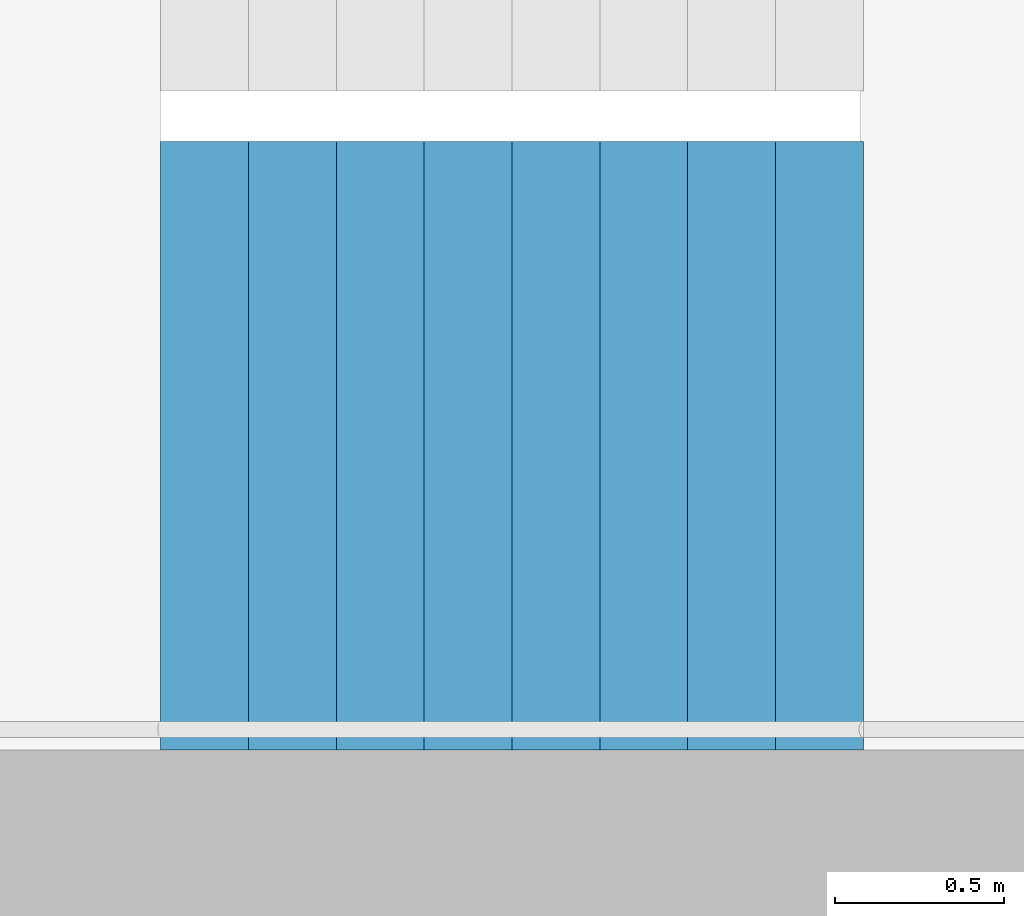
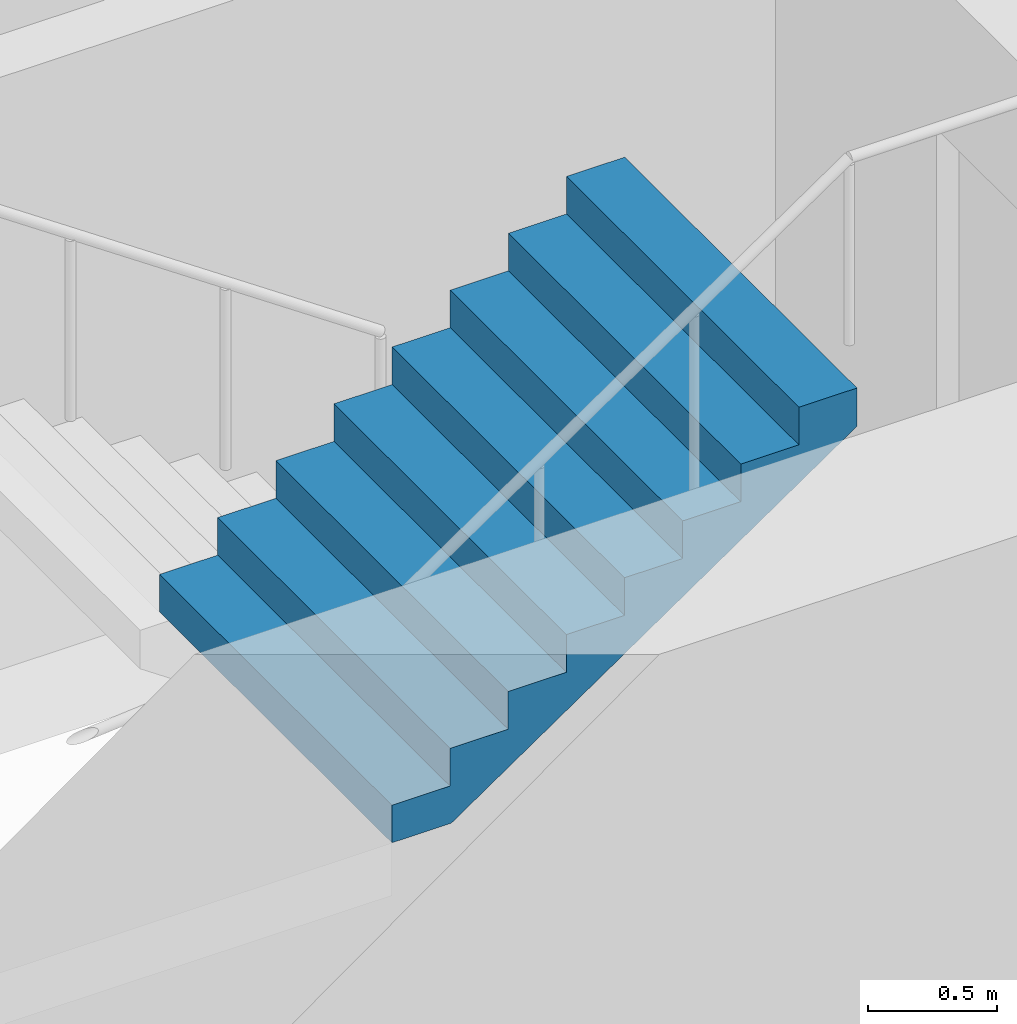
# One storey, part 21 of 29: 1 stair flight, 1 element without a shape of its own.
"""IFC4 building model written with IfcOpenShell, lengths in metres."""

from ifc_helpers import new_model, si_unit, direction, frame, origin, place, context, subcontext, project, spatial, triangles, material, type_object, element, aggregate, save


model = new_model("IFC4")

# Units and contexts
model_context = context("Model", 3, precision=1e-05, world=origin(), true_north=direction((0.0, 1.0)))
body_context = subcontext(model_context, "Body", "Model", "MODEL_VIEW")
ifc_project = project(units=[si_unit("LENGTHUNIT", "METRE"), si_unit("AREAUNIT", "SQUARE_METRE"), si_unit("VOLUMEUNIT", "CUBIC_METRE"), si_unit("PLANEANGLEUNIT", "RADIAN"), si_unit("MASSUNIT", "GRAM", prefix="KILO")], contexts=[model_context])

# Site, building, storey
site_placement = place(None, origin())
site = spatial("IfcSite", under=ifc_project, at=site_placement, CompositionType="ELEMENT")
building_placement = place(site_placement, origin())
building = spatial("IfcBuilding", under=site, at=building_placement, Name="Hakoniwa Tower and Hamabe Station Hall", CompositionType="ELEMENT")
storey_placement = place(building_placement, frame((0.0, 0.0, 23.0)))
storey = spatial("IfcBuildingStorey", under=building, at=storey_placement, Name="L05", CompositionType="ELEMENT", Elevation=23.0)

# Stair, stair flight
ifc_material_1 = material(Name="Concrete C40", Category="concrete")
stair_type = type_object("IfcStairType", Name="ESCAPE STAIR 1800", PredefinedType="HALF_TURN_STAIR", material=ifc_material_1)
stair_placement = place(storey_placement, origin())
stair = element("IfcStair", 1, at=stair_placement, inside=storey, type_object=stair_type, Name="Escape stair ST-2 L05", PredefinedType="HALF_TURN_STAIR")
ifc_material_2 = material(Name="Concrete C40", Category="concrete")
stair_flight_type = type_object("IfcStairFlightType", Name="STAIR FLIGHT 1800", PredefinedType="STRAIGHT", material=ifc_material_2)
stair_flight_placement = place(storey_placement, frame((-25.47998046875, -6.60009765625, 1.60009765625), z_axis=(0.0, 0.0, 1.0), x_axis=(1.0, 0.0, 0.0)))
stair_flight = element("IfcStairFlight", 2, at=stair_flight_placement, type_object=stair_flight_type, Name="ST-2 flight 2", NumberOfRisers=9, NumberOfTreads=8, PredefinedType="STRAIGHT", RiserHeight=0.177777778, TreadLength=0.26, context=body_context, shape_type="Tessellation", body=[
    triangles([(0.0, 0.89990234375, 0.0), (0.260009765625, 0.89990234375, 0.0), (0.265625, 0.89990234375, 0.0), (0.52001953125, 0.89990234375, 0.174072265625), (0.780029296875, 0.89990234375, 0.351806640625), (1.0400390625, 0.89990234375, 0.529541015625), (1.300048828125, 0.89990234375, 0.707275390625), (1.56005859375, 0.89990234375, 0.885009765625), (1.820068359375, 0.89990234375, 1.062744140625), (2.080078125, 0.89990234375, 1.24072265625), (2.080078125, 0.89990234375, 1.422119140625), (1.820068359375, 0.89990234375, 1.422119140625), (1.820068359375, 0.89990234375, 1.244384765625), (1.56005859375, 0.89990234375, 1.244384765625), (1.56005859375, 0.89990234375, 1.066650390625), (1.300048828125, 0.89990234375, 1.066650390625), (1.300048828125, 0.89990234375, 0.888916015625), (1.0400390625, 0.89990234375, 0.888916015625), (1.0400390625, 0.89990234375, 0.711181640625), (0.780029296875, 0.89990234375, 0.711181640625), (0.780029296875, 0.89990234375, 0.533447265625), (0.52001953125, 0.89990234375, 0.533447265625), (0.52001953125, 0.89990234375, 0.35546875), (0.265625, 0.89990234375, 0.35546875), (0.260009765625, 0.89990234375, 0.35546875), (0.260009765625, 0.89990234375, 0.177734375), (0.0, 0.89990234375, 0.177734375), (0.0, 0.06005859375, 0.0), (0.260009765625, 0.06005859375, 0.0), (0.265625, 0.06005859375, 0.0), (0.52001953125, 0.06005859375, 0.174072265625), (0.780029296875, 0.06005859375, 0.351806640625), (1.0400390625, 0.06005859375, 0.529541015625), (1.300048828125, 0.06005859375, 0.707275390625), (1.56005859375, 0.06005859375, 0.885009765625), (1.820068359375, 0.06005859375, 1.062744140625), (2.080078125, 0.06005859375, 1.24072265625), (2.080078125, 0.06005859375, 1.422119140625), (1.820068359375, 0.06005859375, 1.422119140625), (1.820068359375, 0.06005859375, 1.244384765625), (1.56005859375, 0.06005859375, 1.244384765625), (1.56005859375, 0.06005859375, 1.066650390625), (1.300048828125, 0.06005859375, 1.066650390625), (1.300048828125, 0.06005859375, 0.888916015625), (1.0400390625, 0.06005859375, 0.888916015625), (1.0400390625, 0.06005859375, 0.711181640625), (0.780029296875, 0.06005859375, 0.711181640625), (0.780029296875, 0.06005859375, 0.533447265625), (0.52001953125, 0.06005859375, 0.533447265625), (0.52001953125, 0.06005859375, 0.35546875), (0.265625, 0.06005859375, 0.35546875), (0.260009765625, 0.06005859375, 0.35546875), (0.260009765625, 0.06005859375, 0.177734375), (0.0, 0.06005859375, 0.177734375), (0.0, 0.04296875, 0.0), (0.260009765625, 0.04296875, 0.0), (0.265625, 0.04296875, 0.0), (0.52001953125, 0.04296875, 0.174072265625), (0.780029296875, 0.04296875, 0.351806640625), (1.0400390625, 0.04296875, 0.529541015625), (1.300048828125, 0.04296875, 0.707275390625), (1.56005859375, 0.04296875, 0.885009765625), (1.820068359375, 0.04296875, 1.062744140625), (2.080078125, 0.04296875, 1.24072265625), (2.080078125, 0.04296875, 1.422119140625), (1.820068359375, 0.04296875, 1.422119140625), (1.820068359375, 0.04296875, 1.244384765625), (1.56005859375, 0.04296875, 1.244384765625), (1.56005859375, 0.04296875, 1.066650390625), (1.300048828125, 0.04296875, 1.066650390625), (1.300048828125, 0.04296875, 0.888916015625), (1.0400390625, 0.04296875, 0.888916015625), (1.0400390625, 0.04296875, 0.711181640625), (0.780029296875, 0.04296875, 0.711181640625), (0.780029296875, 0.04296875, 0.533447265625), (0.52001953125, 0.04296875, 0.533447265625), (0.52001953125, 0.04296875, 0.35546875), (0.265625, 0.04296875, 0.35546875), (0.260009765625, 0.04296875, 0.35546875), (0.260009765625, 0.04296875, 0.177734375), (0.0, 0.04296875, 0.177734375), (0.0, 0.025634765625, 0.0), (0.260009765625, 0.025634765625, 0.0), (0.265625, 0.025634765625, 0.0), (0.52001953125, 0.025634765625, 0.174072265625), (0.780029296875, 0.025634765625, 0.351806640625), (1.0400390625, 0.025634765625, 0.529541015625), (1.300048828125, 0.025634765625, 0.707275390625), (1.56005859375, 0.025634765625, 0.885009765625), (1.820068359375, 0.025634765625, 1.062744140625), (2.080078125, 0.025634765625, 1.24072265625), (2.080078125, 0.025634765625, 1.422119140625), (1.820068359375, 0.025634765625, 1.422119140625), (1.820068359375, 0.025634765625, 1.244384765625), (1.56005859375, 0.025634765625, 1.244384765625), (1.56005859375, 0.025634765625, 1.066650390625), (1.300048828125, 0.025634765625, 1.066650390625), (1.300048828125, 0.025634765625, 0.888916015625), (1.0400390625, 0.025634765625, 0.888916015625), (1.0400390625, 0.025634765625, 0.711181640625), (0.780029296875, 0.025634765625, 0.711181640625), (0.780029296875, 0.025634765625, 0.533447265625), (0.52001953125, 0.025634765625, 0.533447265625), (0.52001953125, 0.025634765625, 0.35546875), (0.265625, 0.025634765625, 0.35546875), (0.260009765625, 0.025634765625, 0.35546875), (0.260009765625, 0.025634765625, 0.177734375), (0.0, 0.025634765625, 0.177734375), (0.0, 0.008544921875, 0.0), (0.260009765625, 0.008544921875, 0.0), (0.265625, 0.008544921875, 0.0), (0.52001953125, 0.008544921875, 0.174072265625), (0.780029296875, 0.008544921875, 0.351806640625), (1.0400390625, 0.008544921875, 0.529541015625), (1.300048828125, 0.008544921875, 0.707275390625), (1.56005859375, 0.008544921875, 0.885009765625), (1.820068359375, 0.008544921875, 1.062744140625), (2.080078125, 0.008544921875, 1.24072265625), (2.080078125, 0.008544921875, 1.422119140625), (1.820068359375, 0.008544921875, 1.422119140625), (1.820068359375, 0.008544921875, 1.244384765625), (1.56005859375, 0.008544921875, 1.244384765625), (1.56005859375, 0.008544921875, 1.066650390625), (1.300048828125, 0.008544921875, 1.066650390625), (1.300048828125, 0.008544921875, 0.888916015625), (1.0400390625, 0.008544921875, 0.888916015625), (1.0400390625, 0.008544921875, 0.711181640625), (0.780029296875, 0.008544921875, 0.711181640625), (0.780029296875, 0.008544921875, 0.533447265625), (0.52001953125, 0.008544921875, 0.533447265625), (0.52001953125, 0.008544921875, 0.35546875), (0.265625, 0.008544921875, 0.35546875), (0.260009765625, 0.008544921875, 0.35546875), (0.260009765625, 0.008544921875, 0.177734375), (0.0, 0.008544921875, 0.177734375), (0.0, -0.008544921875, 0.0), (0.260009765625, -0.008544921875, 0.0), (0.265625, -0.008544921875, 0.0), (0.52001953125, -0.008544921875, 0.174072265625), (0.780029296875, -0.008544921875, 0.351806640625), (1.0400390625, -0.008544921875, 0.529541015625), (1.300048828125, -0.008544921875, 0.707275390625), (1.56005859375, -0.008544921875, 0.885009765625), (1.820068359375, -0.008544921875, 1.062744140625), (2.080078125, -0.008544921875, 1.24072265625), (2.080078125, -0.008544921875, 1.422119140625), (1.820068359375, -0.008544921875, 1.422119140625), (1.820068359375, -0.008544921875, 1.244384765625), (1.56005859375, -0.008544921875, 1.244384765625), (1.56005859375, -0.008544921875, 1.066650390625), (1.300048828125, -0.008544921875, 1.066650390625), (1.300048828125, -0.008544921875, 0.888916015625), (1.0400390625, -0.008544921875, 0.888916015625), (1.0400390625, -0.008544921875, 0.711181640625), (0.780029296875, -0.008544921875, 0.711181640625), (0.780029296875, -0.008544921875, 0.533447265625), (0.52001953125, -0.008544921875, 0.533447265625), (0.52001953125, -0.008544921875, 0.35546875), (0.265625, -0.008544921875, 0.35546875), (0.260009765625, -0.008544921875, 0.35546875), (0.260009765625, -0.008544921875, 0.177734375), (0.0, -0.008544921875, 0.177734375), (0.0, -0.025634765625, 0.0), (0.260009765625, -0.025634765625, 0.0), (0.265625, -0.025634765625, 0.0), (0.52001953125, -0.025634765625, 0.174072265625), (0.780029296875, -0.025634765625, 0.351806640625), (1.0400390625, -0.025634765625, 0.529541015625), (1.300048828125, -0.025634765625, 0.707275390625), (1.56005859375, -0.025634765625, 0.885009765625), (1.820068359375, -0.025634765625, 1.062744140625), (2.080078125, -0.025634765625, 1.24072265625), (2.080078125, -0.025634765625, 1.422119140625), (1.820068359375, -0.025634765625, 1.422119140625), (1.820068359375, -0.025634765625, 1.244384765625), (1.56005859375, -0.025634765625, 1.244384765625), (1.56005859375, -0.025634765625, 1.066650390625), (1.300048828125, -0.025634765625, 1.066650390625), (1.300048828125, -0.025634765625, 0.888916015625), (1.0400390625, -0.025634765625, 0.888916015625), (1.0400390625, -0.025634765625, 0.711181640625), (0.780029296875, -0.025634765625, 0.711181640625), (0.780029296875, -0.025634765625, 0.533447265625), (0.52001953125, -0.025634765625, 0.533447265625), (0.52001953125, -0.025634765625, 0.35546875), (0.265625, -0.025634765625, 0.35546875), (0.260009765625, -0.025634765625, 0.35546875), (0.260009765625, -0.025634765625, 0.177734375), (0.0, -0.025634765625, 0.177734375), (0.0, -0.04296875, 0.0), (0.260009765625, -0.04296875, 0.0), (0.265625, -0.04296875, 0.0), (0.52001953125, -0.04296875, 0.174072265625), (0.780029296875, -0.04296875, 0.351806640625), (1.0400390625, -0.04296875, 0.529541015625), (1.300048828125, -0.04296875, 0.707275390625), (1.56005859375, -0.04296875, 0.885009765625), (1.820068359375, -0.04296875, 1.062744140625), (2.080078125, -0.04296875, 1.24072265625), (2.080078125, -0.04296875, 1.422119140625), (1.820068359375, -0.04296875, 1.422119140625), (1.820068359375, -0.04296875, 1.244384765625), (1.56005859375, -0.04296875, 1.244384765625), (1.56005859375, -0.04296875, 1.066650390625), (1.300048828125, -0.04296875, 1.066650390625), (1.300048828125, -0.04296875, 0.888916015625), (1.0400390625, -0.04296875, 0.888916015625), (1.0400390625, -0.04296875, 0.711181640625), (0.780029296875, -0.04296875, 0.711181640625), (0.780029296875, -0.04296875, 0.533447265625), (0.52001953125, -0.04296875, 0.533447265625), (0.52001953125, -0.04296875, 0.35546875), (0.265625, -0.04296875, 0.35546875), (0.260009765625, -0.04296875, 0.35546875), (0.260009765625, -0.04296875, 0.177734375), (0.0, -0.04296875, 0.177734375), (0.0, -0.06005859375, 0.0), (0.260009765625, -0.06005859375, 0.0), (0.265625, -0.06005859375, 0.0), (0.52001953125, -0.06005859375, 0.174072265625), (0.780029296875, -0.06005859375, 0.351806640625), (1.0400390625, -0.06005859375, 0.529541015625), (1.300048828125, -0.06005859375, 0.707275390625), (1.56005859375, -0.06005859375, 0.885009765625), (1.820068359375, -0.06005859375, 1.062744140625), (2.080078125, -0.06005859375, 1.24072265625), (2.080078125, -0.06005859375, 1.422119140625), (1.820068359375, -0.06005859375, 1.422119140625), (1.820068359375, -0.06005859375, 1.244384765625), (1.56005859375, -0.06005859375, 1.244384765625), (1.56005859375, -0.06005859375, 1.066650390625), (1.300048828125, -0.06005859375, 1.066650390625), (1.300048828125, -0.06005859375, 0.888916015625), (1.0400390625, -0.06005859375, 0.888916015625), (1.0400390625, -0.06005859375, 0.711181640625), (0.780029296875, -0.06005859375, 0.711181640625), (0.780029296875, -0.06005859375, 0.533447265625), (0.52001953125, -0.06005859375, 0.533447265625), (0.52001953125, -0.06005859375, 0.35546875), (0.265625, -0.06005859375, 0.35546875), (0.260009765625, -0.06005859375, 0.35546875), (0.260009765625, -0.06005859375, 0.177734375), (0.0, -0.06005859375, 0.177734375), (0.0, -0.89990234375, 0.0), (0.260009765625, -0.89990234375, 0.0), (0.265625, -0.89990234375, 0.0), (0.52001953125, -0.89990234375, 0.174072265625), (0.780029296875, -0.89990234375, 0.351806640625), (1.0400390625, -0.89990234375, 0.529541015625), (1.300048828125, -0.89990234375, 0.707275390625), (1.56005859375, -0.89990234375, 0.885009765625), (1.820068359375, -0.89990234375, 1.062744140625), (2.080078125, -0.89990234375, 1.24072265625), (2.080078125, -0.89990234375, 1.422119140625), (1.820068359375, -0.89990234375, 1.422119140625), (1.820068359375, -0.89990234375, 1.244384765625), (1.56005859375, -0.89990234375, 1.244384765625), (1.56005859375, -0.89990234375, 1.066650390625), (1.300048828125, -0.89990234375, 1.066650390625), (1.300048828125, -0.89990234375, 0.888916015625), (1.0400390625, -0.89990234375, 0.888916015625), (1.0400390625, -0.89990234375, 0.711181640625), (0.780029296875, -0.89990234375, 0.711181640625), (0.780029296875, -0.89990234375, 0.533447265625), (0.52001953125, -0.89990234375, 0.533447265625), (0.52001953125, -0.89990234375, 0.35546875), (0.265625, -0.89990234375, 0.35546875), (0.260009765625, -0.89990234375, 0.35546875), (0.260009765625, -0.89990234375, 0.177734375), (0.0, -0.89990234375, 0.177734375)], [[2, 27, 26], [245, 269, 270], [2, 1, 27], [245, 270, 244], [3, 25, 24], [246, 267, 268], [3, 26, 25], [246, 268, 269], [3, 2, 26], [246, 269, 245], [4, 24, 23], [247, 266, 267], [4, 3, 24], [247, 267, 246], [5, 22, 21], [248, 264, 265], [5, 23, 22], [248, 265, 266], [5, 4, 23], [248, 266, 247], [6, 20, 19], [249, 262, 263], [6, 21, 20], [249, 263, 264], [6, 5, 21], [249, 264, 248], [7, 18, 17], [250, 260, 261], [7, 19, 18], [250, 261, 262], [7, 6, 19], [250, 262, 249], [8, 16, 15], [251, 258, 259], [8, 17, 16], [251, 259, 260], [8, 7, 17], [251, 260, 250], [9, 14, 13], [252, 256, 257], [9, 15, 14], [252, 257, 258], [9, 8, 15], [252, 258, 251], [10, 12, 11], [253, 254, 255], [10, 13, 12], [253, 255, 256], [10, 9, 13], [253, 256, 252], [1, 2, 29], [1, 29, 28], [28, 29, 56], [28, 56, 55], [55, 56, 83], [55, 83, 82], [82, 83, 110], [82, 110, 109], [109, 110, 137], [109, 137, 136], [136, 137, 164], [136, 164, 163], [163, 164, 191], [163, 191, 190], [190, 191, 218], [190, 218, 217], [217, 218, 245], [217, 245, 244], [2, 3, 30], [2, 30, 29], [29, 30, 57], [29, 57, 56], [56, 57, 84], [56, 84, 83], [83, 84, 111], [83, 111, 110], [110, 111, 138], [110, 138, 137], [137, 138, 165], [137, 165, 164], [164, 165, 192], [164, 192, 191], [191, 192, 219], [191, 219, 218], [218, 219, 246], [218, 246, 245], [3, 4, 31], [3, 31, 30], [30, 31, 58], [30, 58, 57], [57, 58, 85], [57, 85, 84], [84, 85, 112], [84, 112, 111], [111, 112, 139], [111, 139, 138], [138, 139, 166], [138, 166, 165], [165, 166, 193], [165, 193, 192], [192, 193, 220], [192, 220, 219], [219, 220, 247], [219, 247, 246], [4, 5, 32], [4, 32, 31], [31, 32, 59], [31, 59, 58], [58, 59, 86], [58, 86, 85], [85, 86, 113], [85, 113, 112], [112, 113, 140], [112, 140, 139], [139, 140, 167], [139, 167, 166], [166, 167, 194], [166, 194, 193], [193, 194, 221], [193, 221, 220], [220, 221, 248], [220, 248, 247], [5, 6, 33], [5, 33, 32], [32, 33, 60], [32, 60, 59], [59, 60, 87], [59, 87, 86], [86, 87, 114], [86, 114, 113], [113, 114, 141], [113, 141, 140], [140, 141, 168], [140, 168, 167], [167, 168, 195], [167, 195, 194], [194, 195, 222], [194, 222, 221], [221, 222, 249], [221, 249, 248], [6, 7, 34], [6, 34, 33], [33, 34, 61], [33, 61, 60], [60, 61, 88], [60, 88, 87], [87, 88, 115], [87, 115, 114], [114, 115, 142], [114, 142, 141], [141, 142, 169], [141, 169, 168], [168, 169, 196], [168, 196, 195], [195, 196, 223], [195, 223, 222], [222, 223, 250], [222, 250, 249], [7, 8, 35], [7, 35, 34], [34, 35, 62], [34, 62, 61], [61, 62, 89], [61, 89, 88], [88, 89, 116], [88, 116, 115], [115, 116, 143], [115, 143, 142], [142, 143, 170], [142, 170, 169], [169, 170, 197], [169, 197, 196], [196, 197, 224], [196, 224, 223], [223, 224, 251], [223, 251, 250], [8, 9, 36], [8, 36, 35], [35, 36, 63], [35, 63, 62], [62, 63, 90], [62, 90, 89], [89, 90, 117], [89, 117, 116], [116, 117, 144], [116, 144, 143], [143, 144, 171], [143, 171, 170], [170, 171, 198], [170, 198, 197], [197, 198, 225], [197, 225, 224], [224, 225, 252], [224, 252, 251], [9, 10, 37], [9, 37, 36], [36, 37, 64], [36, 64, 63], [63, 64, 91], [63, 91, 90], [90, 91, 118], [90, 118, 117], [117, 118, 145], [117, 145, 144], [144, 145, 172], [144, 172, 171], [171, 172, 199], [171, 199, 198], [198, 199, 226], [198, 226, 225], [225, 226, 253], [225, 253, 252], [10, 11, 38], [10, 38, 37], [37, 38, 65], [37, 65, 64], [64, 65, 92], [64, 92, 91], [91, 92, 119], [91, 119, 118], [118, 119, 146], [118, 146, 145], [145, 146, 173], [145, 173, 172], [172, 173, 200], [172, 200, 199], [199, 200, 227], [199, 227, 226], [226, 227, 254], [226, 254, 253], [11, 12, 39], [11, 39, 38], [38, 39, 66], [38, 66, 65], [65, 66, 93], [65, 93, 92], [92, 93, 120], [92, 120, 119], [119, 120, 147], [119, 147, 146], [146, 147, 174], [146, 174, 173], [173, 174, 201], [173, 201, 200], [200, 201, 228], [200, 228, 227], [227, 228, 255], [227, 255, 254], [12, 13, 40], [12, 40, 39], [39, 40, 67], [39, 67, 66], [66, 67, 94], [66, 94, 93], [93, 94, 121], [93, 121, 120], [120, 121, 148], [120, 148, 147], [147, 148, 175], [147, 175, 174], [174, 175, 202], [174, 202, 201], [201, 202, 229], [201, 229, 228], [228, 229, 256], [228, 256, 255], [13, 14, 41], [13, 41, 40], [40, 41, 68], [40, 68, 67], [67, 68, 95], [67, 95, 94], [94, 95, 122], [94, 122, 121], [121, 122, 149], [121, 149, 148], [148, 149, 176], [148, 176, 175], [175, 176, 203], [175, 203, 202], [202, 203, 230], [202, 230, 229], [229, 230, 257], [229, 257, 256], [14, 15, 42], [14, 42, 41], [41, 42, 69], [41, 69, 68], [68, 69, 96], [68, 96, 95], [95, 96, 123], [95, 123, 122], [122, 123, 150], [122, 150, 149], [149, 150, 177], [149, 177, 176], [176, 177, 204], [176, 204, 203], [203, 204, 231], [203, 231, 230], [230, 231, 258], [230, 258, 257], [15, 16, 43], [15, 43, 42], [42, 43, 70], [42, 70, 69], [69, 70, 97], [69, 97, 96], [96, 97, 124], [96, 124, 123], [123, 124, 151], [123, 151, 150], [150, 151, 178], [150, 178, 177], [177, 178, 205], [177, 205, 204], [204, 205, 232], [204, 232, 231], [231, 232, 259], [231, 259, 258], [16, 17, 44], [16, 44, 43], [43, 44, 71], [43, 71, 70], [70, 71, 98], [70, 98, 97], [97, 98, 125], [97, 125, 124], [124, 125, 152], [124, 152, 151], [151, 152, 179], [151, 179, 178], [178, 179, 206], [178, 206, 205], [205, 206, 233], [205, 233, 232], [232, 233, 260], [232, 260, 259], [17, 18, 45], [17, 45, 44], [44, 45, 72], [44, 72, 71], [71, 72, 99], [71, 99, 98], [98, 99, 126], [98, 126, 125], [125, 126, 153], [125, 153, 152], [152, 153, 180], [152, 180, 179], [179, 180, 207], [179, 207, 206], [206, 207, 234], [206, 234, 233], [233, 234, 261], [233, 261, 260], [18, 19, 46], [18, 46, 45], [45, 46, 73], [45, 73, 72], [72, 73, 100], [72, 100, 99], [99, 100, 127], [99, 127, 126], [126, 127, 154], [126, 154, 153], [153, 154, 181], [153, 181, 180], [180, 181, 208], [180, 208, 207], [207, 208, 235], [207, 235, 234], [234, 235, 262], [234, 262, 261], [19, 20, 47], [19, 47, 46], [46, 47, 74], [46, 74, 73], [73, 74, 101], [73, 101, 100], [100, 101, 128], [100, 128, 127], [127, 128, 155], [127, 155, 154], [154, 155, 182], [154, 182, 181], [181, 182, 209], [181, 209, 208], [208, 209, 236], [208, 236, 235], [235, 236, 263], [235, 263, 262], [20, 21, 48], [20, 48, 47], [47, 48, 75], [47, 75, 74], [74, 75, 102], [74, 102, 101], [101, 102, 129], [101, 129, 128], [128, 129, 156], [128, 156, 155], [155, 156, 183], [155, 183, 182], [182, 183, 210], [182, 210, 209], [209, 210, 237], [209, 237, 236], [236, 237, 264], [236, 264, 263], [21, 22, 49], [21, 49, 48], [48, 49, 76], [48, 76, 75], [75, 76, 103], [75, 103, 102], [102, 103, 130], [102, 130, 129], [129, 130, 157], [129, 157, 156], [156, 157, 184], [156, 184, 183], [183, 184, 211], [183, 211, 210], [210, 211, 238], [210, 238, 237], [237, 238, 265], [237, 265, 264], [22, 23, 50], [22, 50, 49], [49, 50, 77], [49, 77, 76], [76, 77, 104], [76, 104, 103], [103, 104, 131], [103, 131, 130], [130, 131, 158], [130, 158, 157], [157, 158, 185], [157, 185, 184], [184, 185, 212], [184, 212, 211], [211, 212, 239], [211, 239, 238], [238, 239, 266], [238, 266, 265], [23, 24, 51], [23, 51, 50], [50, 51, 78], [50, 78, 77], [77, 78, 105], [77, 105, 104], [104, 105, 132], [104, 132, 131], [131, 132, 159], [131, 159, 158], [158, 159, 186], [158, 186, 185], [185, 186, 213], [185, 213, 212], [212, 213, 240], [212, 240, 239], [239, 240, 267], [239, 267, 266], [24, 25, 52], [24, 52, 51], [51, 52, 79], [51, 79, 78], [78, 79, 106], [78, 106, 105], [105, 106, 133], [105, 133, 132], [132, 133, 160], [132, 160, 159], [159, 160, 187], [159, 187, 186], [186, 187, 214], [186, 214, 213], [213, 214, 241], [213, 241, 240], [240, 241, 268], [240, 268, 267], [25, 26, 53], [25, 53, 52], [52, 53, 80], [52, 80, 79], [79, 80, 107], [79, 107, 106], [106, 107, 134], [106, 134, 133], [133, 134, 161], [133, 161, 160], [160, 161, 188], [160, 188, 187], [187, 188, 215], [187, 215, 214], [214, 215, 242], [214, 242, 241], [241, 242, 269], [241, 269, 268], [26, 27, 54], [26, 54, 53], [53, 54, 81], [53, 81, 80], [80, 81, 108], [80, 108, 107], [107, 108, 135], [107, 135, 134], [134, 135, 162], [134, 162, 161], [161, 162, 189], [161, 189, 188], [188, 189, 216], [188, 216, 215], [215, 216, 243], [215, 243, 242], [242, 243, 270], [242, 270, 269], [27, 1, 28], [27, 28, 54], [54, 28, 55], [54, 55, 81], [81, 55, 82], [81, 82, 108], [108, 82, 109], [108, 109, 135], [135, 109, 136], [135, 136, 162], [162, 136, 163], [162, 163, 189], [189, 163, 190], [189, 190, 216], [216, 190, 217], [216, 217, 243], [243, 217, 244], [243, 244, 270]], closed=True),
])
aggregate(stair, [stair_flight])

save(model, "model.ifc")
